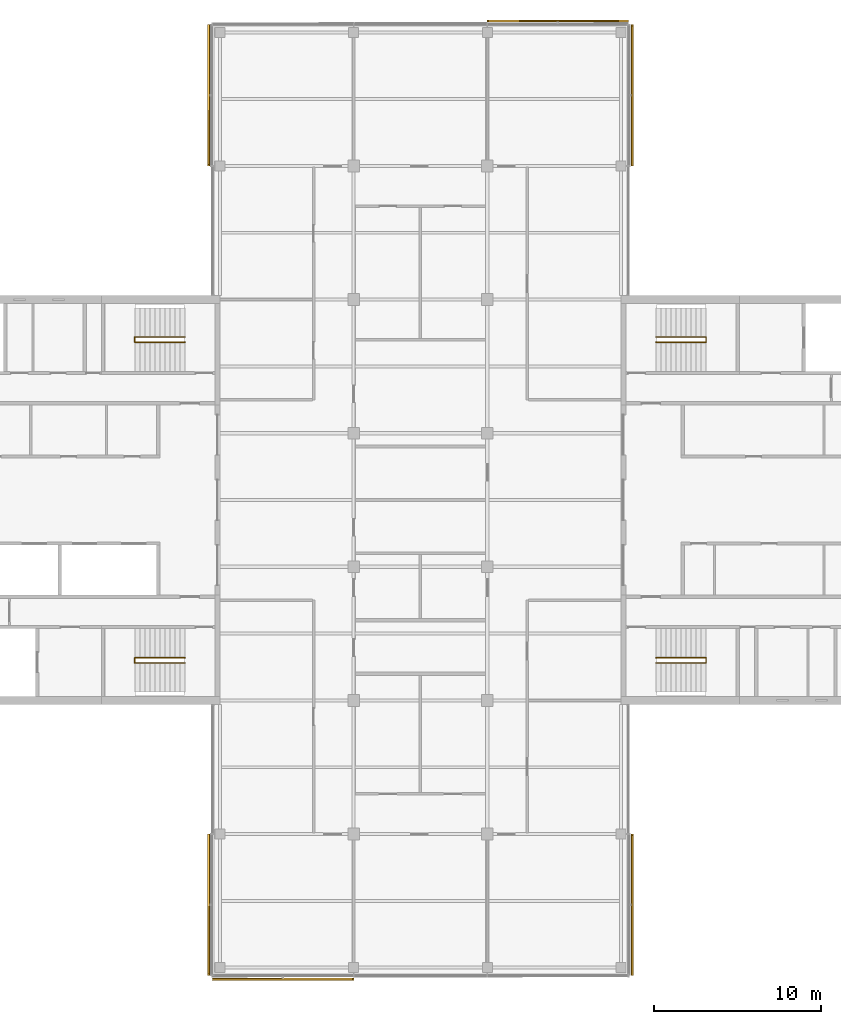
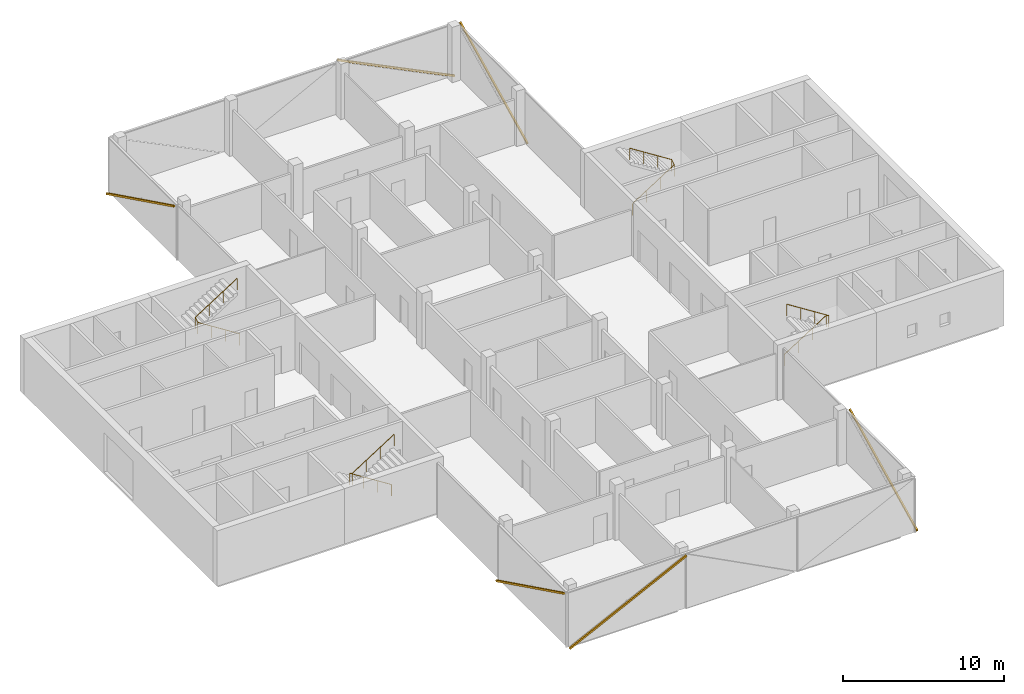
# One storey, part 16 of 16: 6 shading devices, 4 railings, 6 elements without a shape of their own.
"""IFC4 building model written with IfcOpenShell, lengths in metres."""

from ifc_helpers import new_model, si_unit, direction, frame, origin, origin_2d, place, context, subcontext, project, spatial, rectangle, circle, extrude, material, material_profile, profile_set, type_object, element, aggregate, save


model = new_model("IFC4")

# Units and contexts
model_context = context("Model", 3, precision=1e-05, world=origin(), true_north=direction((0.0, 1.0)))
body_context = subcontext(model_context, "Body", "Model", "MODEL_VIEW")
ifc_project = project(units=[si_unit("LENGTHUNIT", "METRE"), si_unit("AREAUNIT", "SQUARE_METRE"), si_unit("VOLUMEUNIT", "CUBIC_METRE"), si_unit("PLANEANGLEUNIT", "RADIAN"), si_unit("MASSUNIT", "GRAM", prefix="KILO")], contexts=[model_context])

# Site, building, storey
site_placement = place(None, origin())
site = spatial("IfcSite", under=ifc_project, at=site_placement, CompositionType="ELEMENT")
building_placement = place(site_placement, origin())
building = spatial("IfcBuilding", under=site, at=building_placement, Name="Crosswind Convention Tower", CompositionType="ELEMENT")
storey_placement = place(building_placement, frame((0.0, 0.0, 249.300048828125)))
storey = spatial("IfcBuildingStorey", under=building, at=storey_placement, Name="L53", CompositionType="ELEMENT", Elevation=249.300048828125)

# Railings
ifc_material_1 = material(Name="Stainless steel", Category="steel")
railing_type = type_object("IfcRailingType", Name="Stair handrail 900", PredefinedType="HANDRAIL", material=ifc_material_1)
railing_1_placement = place(storey_placement, frame((139.10009765625, 109.43994140625, 0.19091796875)))
element("IfcRailing", 1, at=railing_1_placement, inside=storey, type_object=railing_type, Name="Stair ST1 handrail L53", PredefinedType="HANDRAIL", context=body_context, shape_type="SweptSolid", body=[
    extrude(circle(Radius=0.02392578125, at=origin_2d()), frame((0.0, 0.0, 0.8759765625), z_axis=(0.843681277094, 0.0, 0.536844393359), x_axis=(0.0, 1.0, 0.0)), (0.0, 0.0, 1.0), 3.555908203125),
    extrude(circle(Radius=0.02392578125, at=origin_2d()), frame((3.0, 0.0, 2.78466796875), z_axis=(0.0, 0.858819504967, 0.512278301208), x_axis=(-1.0, 0.0, 0.0)), (0.0, 0.0, 1.0), 0.372802734375),
    extrude(circle(Radius=0.02392578125, at=origin_2d()), frame((3.0, 0.320068359375, 2.9755859375), z_axis=(-0.843650179428, 0.0, 0.536893261973), x_axis=(0.0, -1.0, 0.0)), (0.0, 0.0, 1.0), 3.555908203125),
    extrude(circle(Radius=0.02099609375, at=origin_2d()), origin(), (0.0, 0.0, 1.0), 0.851806640625),
    extrude(circle(Radius=0.02099609375, at=origin_2d()), frame((1.0, 0.0, 0.63623046875)), (0.0, 0.0, 1.0), 0.851806640625),
    extrude(circle(Radius=0.02099609375, at=origin_2d()), frame((2.0, 0.0, 1.272705078125)), (0.0, 0.0, 1.0), 0.851806640625),
    extrude(circle(Radius=0.02099609375, at=origin_2d()), frame((3.0, 0.0, 1.908935546875)), (0.0, 0.0, 1.0), 0.851806640625),
    extrude(circle(Radius=0.02099609375, at=origin_2d()), frame((3.0, 0.320068359375, 2.099853515625)), (0.0, 0.0, 1.0), 0.851806640625),
    extrude(circle(Radius=0.02099609375, at=origin_2d()), frame((2.0, 0.320068359375, 2.736328125)), (0.0, 0.0, 1.0), 0.851806640625),
    extrude(circle(Radius=0.02099609375, at=origin_2d()), frame((1.0, 0.320068359375, 3.37255859375)), (0.0, 0.0, 1.0), 0.851806640625),
    extrude(circle(Radius=0.02099609375, at=origin_2d()), frame((0.0, 0.320068359375, 4.009033203125)), (0.0, 0.0, 1.0), 0.851806640625),
])
railing_2_placement = place(storey_placement, frame((139.10009765625, 90.56005859375, 0.19091796875)))
element("IfcRailing", 2, at=railing_2_placement, inside=storey, type_object=railing_type, Name="Stair ST2 handrail L53", PredefinedType="HANDRAIL", context=body_context, shape_type="SweptSolid", body=[
    extrude(circle(Radius=0.02392578125, at=origin_2d()), frame((0.0, 0.0, 0.8759765625), z_axis=(0.843681277094, 0.0, 0.536844393359), x_axis=(0.0, 1.0, 0.0)), (0.0, 0.0, 1.0), 3.555908203125),
    extrude(circle(Radius=0.02392578125, at=origin_2d()), frame((3.0, 0.0, 2.78466796875), z_axis=(0.0, -0.858819504967, 0.512278301208), x_axis=(1.0, 0.0, 0.0)), (0.0, 0.0, 1.0), 0.372802734375),
    extrude(circle(Radius=0.02392578125, at=origin_2d()), frame((3.0, -0.320068359375, 2.9755859375), z_axis=(-0.843650179428, 0.0, 0.536893261973), x_axis=(0.0, -1.0, 0.0)), (0.0, 0.0, 1.0), 3.555908203125),
    extrude(circle(Radius=0.02099609375, at=origin_2d()), origin(), (0.0, 0.0, 1.0), 0.851806640625),
    extrude(circle(Radius=0.02099609375, at=origin_2d()), frame((1.0, 0.0, 0.63623046875)), (0.0, 0.0, 1.0), 0.851806640625),
    extrude(circle(Radius=0.02099609375, at=origin_2d()), frame((2.0, 0.0, 1.272705078125)), (0.0, 0.0, 1.0), 0.851806640625),
    extrude(circle(Radius=0.02099609375, at=origin_2d()), frame((3.0, 0.0, 1.908935546875)), (0.0, 0.0, 1.0), 0.851806640625),
    extrude(circle(Radius=0.02099609375, at=origin_2d()), frame((3.0, -0.320068359375, 2.099853515625)), (0.0, 0.0, 1.0), 0.851806640625),
    extrude(circle(Radius=0.02099609375, at=origin_2d()), frame((2.0, -0.320068359375, 2.736328125)), (0.0, 0.0, 1.0), 0.851806640625),
    extrude(circle(Radius=0.02099609375, at=origin_2d()), frame((1.0, -0.320068359375, 3.37255859375)), (0.0, 0.0, 1.0), 0.851806640625),
    extrude(circle(Radius=0.02099609375, at=origin_2d()), frame((0.0, -0.320068359375, 4.009033203125)), (0.0, 0.0, 1.0), 0.851806640625),
])
railing_3_placement = place(storey_placement, frame((110.89990234375, 90.56005859375, 0.19091796875)))
element("IfcRailing", 3, at=railing_3_placement, inside=storey, type_object=railing_type, Name="Stair ST3 handrail L53", PredefinedType="HANDRAIL", context=body_context, shape_type="SweptSolid", body=[
    extrude(circle(Radius=0.02392578125, at=origin_2d()), frame((0.0, 0.0, 0.8759765625), z_axis=(-0.843681277094, 0.0, 0.536844393359), x_axis=(0.0, -1.0, 0.0)), (0.0, 0.0, 1.0), 3.555908203125),
    extrude(circle(Radius=0.02392578125, at=origin_2d()), frame((-3.0, 0.0, 2.78466796875), z_axis=(0.0, -0.858819504967, 0.512278301208), x_axis=(1.0, 0.0, 0.0)), (0.0, 0.0, 1.0), 0.372802734375),
    extrude(circle(Radius=0.02392578125, at=origin_2d()), frame((-3.0, -0.320068359375, 2.9755859375), z_axis=(0.843650179428, 0.0, 0.536893261973), x_axis=(0.0, 1.0, 0.0)), (0.0, 0.0, 1.0), 3.555908203125),
    extrude(circle(Radius=0.02099609375, at=origin_2d()), origin(), (0.0, 0.0, 1.0), 0.851806640625),
    extrude(circle(Radius=0.02099609375, at=origin_2d()), frame((-1.0, 0.0, 0.63623046875)), (0.0, 0.0, 1.0), 0.851806640625),
    extrude(circle(Radius=0.02099609375, at=origin_2d()), frame((-2.0, 0.0, 1.272705078125)), (0.0, 0.0, 1.0), 0.851806640625),
    extrude(circle(Radius=0.02099609375, at=origin_2d()), frame((-3.0, 0.0, 1.908935546875)), (0.0, 0.0, 1.0), 0.851806640625),
    extrude(circle(Radius=0.02099609375, at=origin_2d()), frame((-3.0, -0.320068359375, 2.099853515625)), (0.0, 0.0, 1.0), 0.851806640625),
    extrude(circle(Radius=0.02099609375, at=origin_2d()), frame((-2.0, -0.320068359375, 2.736328125)), (0.0, 0.0, 1.0), 0.851806640625),
    extrude(circle(Radius=0.02099609375, at=origin_2d()), frame((-1.0, -0.320068359375, 3.37255859375)), (0.0, 0.0, 1.0), 0.851806640625),
    extrude(circle(Radius=0.02099609375, at=origin_2d()), frame((0.0, -0.320068359375, 4.009033203125)), (0.0, 0.0, 1.0), 0.851806640625),
])
railing_4_placement = place(storey_placement, frame((110.89990234375, 109.43994140625, 0.19091796875)))
element("IfcRailing", 4, at=railing_4_placement, inside=storey, type_object=railing_type, Name="Stair ST4 handrail L53", PredefinedType="HANDRAIL", context=body_context, shape_type="SweptSolid", body=[
    extrude(circle(Radius=0.02392578125, at=origin_2d()), frame((0.0, 0.0, 0.8759765625), z_axis=(-0.843681277094, 0.0, 0.536844393359), x_axis=(0.0, -1.0, 0.0)), (0.0, 0.0, 1.0), 3.555908203125),
    extrude(circle(Radius=0.02392578125, at=origin_2d()), frame((-3.0, 0.0, 2.78466796875), z_axis=(0.0, 0.858819504967, 0.512278301208), x_axis=(-1.0, 0.0, 0.0)), (0.0, 0.0, 1.0), 0.372802734375),
    extrude(circle(Radius=0.02392578125, at=origin_2d()), frame((-3.0, 0.320068359375, 2.9755859375), z_axis=(0.843650179428, 0.0, 0.536893261973), x_axis=(0.0, 1.0, 0.0)), (0.0, 0.0, 1.0), 3.555908203125),
    extrude(circle(Radius=0.02099609375, at=origin_2d()), origin(), (0.0, 0.0, 1.0), 0.851806640625),
    extrude(circle(Radius=0.02099609375, at=origin_2d()), frame((-1.0, 0.0, 0.63623046875)), (0.0, 0.0, 1.0), 0.851806640625),
    extrude(circle(Radius=0.02099609375, at=origin_2d()), frame((-2.0, 0.0, 1.272705078125)), (0.0, 0.0, 1.0), 0.851806640625),
    extrude(circle(Radius=0.02099609375, at=origin_2d()), frame((-3.0, 0.0, 1.908935546875)), (0.0, 0.0, 1.0), 0.851806640625),
    extrude(circle(Radius=0.02099609375, at=origin_2d()), frame((-3.0, 0.320068359375, 2.099853515625)), (0.0, 0.0, 1.0), 0.851806640625),
    extrude(circle(Radius=0.02099609375, at=origin_2d()), frame((-2.0, 0.320068359375, 2.736328125)), (0.0, 0.0, 1.0), 0.851806640625),
    extrude(circle(Radius=0.02099609375, at=origin_2d()), frame((-1.0, 0.320068359375, 3.37255859375)), (0.0, 0.0, 1.0), 0.851806640625),
    extrude(circle(Radius=0.02099609375, at=origin_2d()), frame((0.0, 0.320068359375, 4.009033203125)), (0.0, 0.0, 1.0), 0.851806640625),
])

# Curtain wall, shading device
ifc_material_2 = material(Name="Aluminium unitised curtain wall", Category="aluminium")
curtain_wall_type = type_object("IfcCurtainWallType", Name="OFFICE UNITISED WALL 220", PredefinedType="USERDEFINED", material=ifc_material_2)
curtain_wall_1_placement = place(storey_placement, origin())
curtain_wall_1 = element("IfcCurtainWall", 5, at=curtain_wall_1_placement, inside=storey, type_object=curtain_wall_type, Name="CW3 L53 N-E 1", ObjectType="UNITISED", PredefinedType="USERDEFINED")
ifc_material_3 = material(Name="Extruded terracotta", Category="masonry")
ifc_material_profile = material_profile(ifc_material_3, rectangle(XDim=0.110107421875, YDim=0.1298828125, at=origin_2d()), Name="TC 110X130")
ifc_profile_set = profile_set([ifc_material_profile], Name="Extruded terracotta")
shading_device_type = type_object("IfcShadingDeviceType", Name="TERRACOTTA BAGUETTE 130X110", PredefinedType="USERDEFINED", material=ifc_profile_set)
shading_device_1_placement = place(storey_placement, frame((137.680908203125, 120.034912109375, -0.300048828125), z_axis=(0.0, 0.897198049762, 0.441628417907), x_axis=(-1.0, 0.0, 0.0)))
shading_device_1 = element("IfcShadingDevice", 6, at=shading_device_1_placement, type_object=shading_device_type, Name="CW3 terracotta baguette 1", ObjectType="BAGUETTE", PredefinedType="USERDEFINED", context=body_context, shape_type="SweptSolid", body=[
    extrude(rectangle(XDim=0.110107421875, YDim=0.1298828125, at=origin_2d()), origin(), (0.0, 0.0, 1.0), 9.3515625),
])
aggregate(curtain_wall_1, [shading_device_1])

curtain_wall_2_placement = place(storey_placement, origin())
curtain_wall_2 = element("IfcCurtainWall", 7, at=curtain_wall_2_placement, inside=storey, type_object=curtain_wall_type, Name="CW3 L53 N-TIP 1", ObjectType="UNITISED", PredefinedType="USERDEFINED")
shading_device_2_placement = place(storey_placement, frame((137.425048828125, 128.680908203125, -0.300048828125), z_axis=(-0.897198049762, 0.0, 0.441628417907), x_axis=(0.0, -1.0, 0.0)))
shading_device_2 = element("IfcShadingDevice", 8, at=shading_device_2_placement, type_object=shading_device_type, Name="CW3 terracotta baguette 1", ObjectType="BAGUETTE", PredefinedType="USERDEFINED", context=body_context, shape_type="SweptSolid", body=[
    extrude(rectangle(XDim=0.110107421875, YDim=0.1298828125, at=origin_2d()), origin(), (0.0, 0.0, 1.0), 9.3515625),
])
aggregate(curtain_wall_2, [shading_device_2])

curtain_wall_3_placement = place(storey_placement, origin())
curtain_wall_3 = element("IfcCurtainWall", 9, at=curtain_wall_3_placement, inside=storey, type_object=curtain_wall_type, Name="CW3 L53 N-W 1", ObjectType="UNITISED", PredefinedType="USERDEFINED")
shading_device_3_placement = place(storey_placement, frame((112.319091796875, 128.425048828125, -0.300048828125), z_axis=(0.0, -0.897198049762, 0.441628417907), x_axis=(1.0, 0.0, 0.0)))
shading_device_3 = element("IfcShadingDevice", 10, at=shading_device_3_placement, type_object=shading_device_type, Name="CW3 terracotta baguette 1", ObjectType="BAGUETTE", PredefinedType="USERDEFINED", context=body_context, shape_type="SweptSolid", body=[
    extrude(rectangle(XDim=0.110107421875, YDim=0.1298828125, at=origin_2d()), origin(), (0.0, 0.0, 1.0), 9.3515625),
])
aggregate(curtain_wall_3, [shading_device_3])

curtain_wall_4_placement = place(storey_placement, origin())
curtain_wall_4 = element("IfcCurtainWall", 11, at=curtain_wall_4_placement, inside=storey, type_object=curtain_wall_type, Name="CW3 L53 S-W 1", ObjectType="UNITISED", PredefinedType="USERDEFINED")
shading_device_4_placement = place(storey_placement, frame((112.319091796875, 79.965087890625, -0.300048828125), z_axis=(0.0, -0.897198049762, 0.441628417907), x_axis=(1.0, 0.0, 0.0)))
shading_device_4 = element("IfcShadingDevice", 12, at=shading_device_4_placement, type_object=shading_device_type, Name="CW3 terracotta baguette 1", ObjectType="BAGUETTE", PredefinedType="USERDEFINED", context=body_context, shape_type="SweptSolid", body=[
    extrude(rectangle(XDim=0.110107421875, YDim=0.1298828125, at=origin_2d()), origin(), (0.0, 0.0, 1.0), 9.3515625),
])
aggregate(curtain_wall_4, [shading_device_4])

curtain_wall_5_placement = place(storey_placement, origin())
curtain_wall_5 = element("IfcCurtainWall", 13, at=curtain_wall_5_placement, inside=storey, type_object=curtain_wall_type, Name="CW3 L53 S-TIP 1", ObjectType="UNITISED", PredefinedType="USERDEFINED")
shading_device_5_placement = place(storey_placement, frame((112.574951171875, 71.319091796875, -0.300048828125), z_axis=(0.897198049762, 0.0, 0.441628417907), x_axis=(0.0, 1.0, 0.0)))
shading_device_5 = element("IfcShadingDevice", 14, at=shading_device_5_placement, type_object=shading_device_type, Name="CW3 terracotta baguette 1", ObjectType="BAGUETTE", PredefinedType="USERDEFINED", context=body_context, shape_type="SweptSolid", body=[
    extrude(rectangle(XDim=0.110107421875, YDim=0.1298828125, at=origin_2d()), origin(), (0.0, 0.0, 1.0), 9.3515625),
])
aggregate(curtain_wall_5, [shading_device_5])

curtain_wall_6_placement = place(storey_placement, origin())
curtain_wall_6 = element("IfcCurtainWall", 15, at=curtain_wall_6_placement, inside=storey, type_object=curtain_wall_type, Name="CW3 L53 S-E 1", ObjectType="UNITISED", PredefinedType="USERDEFINED")
shading_device_6_placement = place(storey_placement, frame((137.680908203125, 71.574951171875, -0.300048828125), z_axis=(0.0, 0.897198049762, 0.441628417907), x_axis=(-1.0, 0.0, 0.0)))
shading_device_6 = element("IfcShadingDevice", 16, at=shading_device_6_placement, type_object=shading_device_type, Name="CW3 terracotta baguette 1", ObjectType="BAGUETTE", PredefinedType="USERDEFINED", context=body_context, shape_type="SweptSolid", body=[
    extrude(rectangle(XDim=0.110107421875, YDim=0.1298828125, at=origin_2d()), origin(), (0.0, 0.0, 1.0), 9.3515625),
])
aggregate(curtain_wall_6, [shading_device_6])

save(model, "model.ifc")
